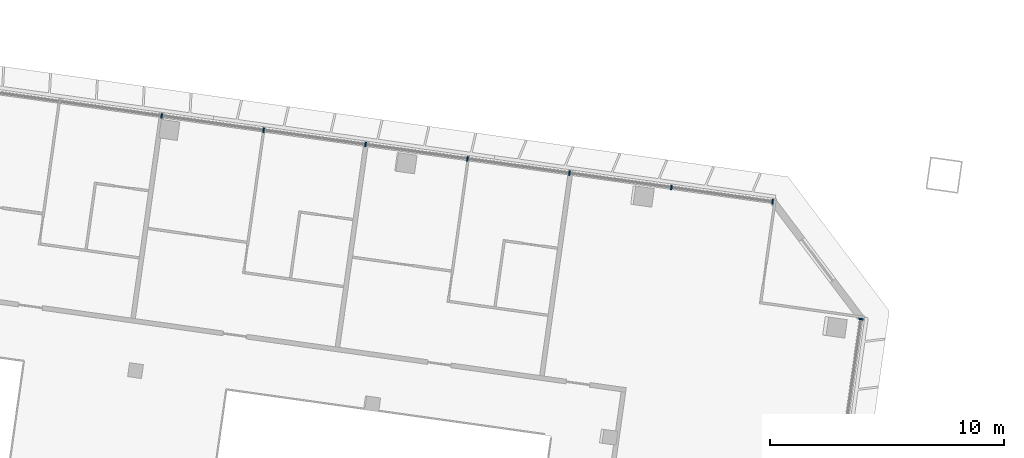
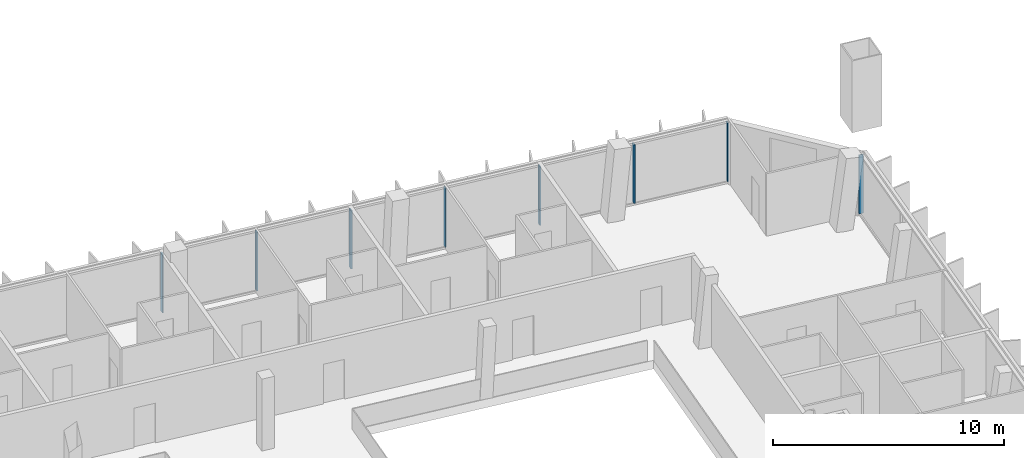
# One storey, part 8 of 29: 8 members, 2 elements without a shape of their own.
"""IFC4 building model written with IfcOpenShell, lengths in metres."""

from ifc_helpers import new_model, si_unit, direction, frame, origin, origin_2d, place, context, subcontext, project, spatial, rectangle, extrude, material, material_profile, profile_set, type_object, element, aggregate, save


model = new_model("IFC4")

# Units and contexts
model_context = context("Model", 3, precision=1e-05, world=origin(), true_north=direction((0.0, 1.0)))
body_context = subcontext(model_context, "Body", "Model", "MODEL_VIEW")
ifc_project = project(units=[si_unit("LENGTHUNIT", "METRE"), si_unit("AREAUNIT", "SQUARE_METRE"), si_unit("VOLUMEUNIT", "CUBIC_METRE"), si_unit("PLANEANGLEUNIT", "RADIAN"), si_unit("MASSUNIT", "GRAM", prefix="KILO")], contexts=[model_context])

# Site, building, storey
site_placement = place(None, origin())
site = spatial("IfcSite", under=ifc_project, at=site_placement, CompositionType="ELEMENT")
building_placement = place(site_placement, origin())
building = spatial("IfcBuilding", under=site, at=building_placement, Name="Mirante Cascada Hotel Towers", CompositionType="ELEMENT")
storey_placement = place(building_placement, frame((0.0, 0.0, 206.8)))
storey = spatial("IfcBuildingStorey", under=building, at=storey_placement, Name="L49", CompositionType="ELEMENT", Elevation=206.8)

# Curtain wall, members
ifc_material_1 = material(Name="Aluminium mullion and transom frame with clear laminated glass", Category="aluminium")
curtain_wall_type_1 = type_object("IfcCurtainWallType", Name="Ribbon curtain wall ECW1", PredefinedType="NOTDEFINED", material=ifc_material_1)
curtain_wall_1_placement = place(storey_placement, origin())
curtain_wall_1 = element("IfcCurtainWall", 1, at=curtain_wall_1_placement, inside=storey, type_object=curtain_wall_type_1, Name="Front ribbon wall T1 L49", PredefinedType="NOTDEFINED")
ifc_material_2 = material(Name="Anodised aluminium extrusion", Category="aluminium")
ifc_material_profile_1 = material_profile(ifc_material_2, rectangle(XDim=0.2, YDim=0.065, at=origin_2d()), Name="ECW1 MULLION 65x200")
ifc_profile_set_1 = profile_set([ifc_material_profile_1], Name="Anodised aluminium extrusion")
member_type_1 = type_object("IfcMemberType", Name="ECW1 mullion 65x200", PredefinedType="MULLION", material=ifc_profile_set_1)
member_1_placement = place(storey_placement, frame((-54.5193, 20.4812, 0.1), z_axis=(0.0, 0.0, 1.0), x_axis=(0.1391731, 0.9902681, 0.0)))
member_1 = element("IfcMember", 2, at=member_1_placement, type_object=member_type_1, Name="ECW1 mullion 6", PredefinedType="MULLION", context=body_context, shape_type="SweptSolid", body=[
    extrude(rectangle(XDim=0.2, YDim=0.065, at=origin_2d()), origin(), (0.0, 0.0, 1.0), 3.1),
])
member_2_placement = place(storey_placement, frame((-50.1566, 19.8681, 0.1), z_axis=(0.0, 0.0, 1.0), x_axis=(0.1391731, 0.9902681, 0.0)))
member_2 = element("IfcMember", 3, at=member_2_placement, type_object=member_type_1, Name="ECW1 mullion 7", PredefinedType="MULLION", context=body_context, shape_type="SweptSolid", body=[
    extrude(rectangle(XDim=0.2, YDim=0.065, at=origin_2d()), origin(), (0.0, 0.0, 1.0), 3.1),
])
member_3_placement = place(storey_placement, frame((-45.7938, 19.2549, 0.1), z_axis=(0.0, 0.0, 1.0), x_axis=(0.1391731, 0.9902681, 0.0)))
member_3 = element("IfcMember", 4, at=member_3_placement, type_object=member_type_1, Name="ECW1 mullion 8", PredefinedType="MULLION", context=body_context, shape_type="SweptSolid", body=[
    extrude(rectangle(XDim=0.2, YDim=0.065, at=origin_2d()), origin(), (0.0, 0.0, 1.0), 3.1),
])
member_4_placement = place(storey_placement, frame((-41.431, 18.6418, 0.1), z_axis=(0.0, 0.0, 1.0), x_axis=(0.1391731, 0.9902681, 0.0)))
member_4 = element("IfcMember", 5, at=member_4_placement, type_object=member_type_1, Name="ECW1 mullion 9", PredefinedType="MULLION", context=body_context, shape_type="SweptSolid", body=[
    extrude(rectangle(XDim=0.2, YDim=0.065, at=origin_2d()), origin(), (0.0, 0.0, 1.0), 3.1),
])
member_5_placement = place(storey_placement, frame((-37.0682, 18.0286, 0.1), z_axis=(0.0, 0.0, 1.0), x_axis=(0.1391731, 0.9902681, 0.0)))
member_5 = element("IfcMember", 6, at=member_5_placement, type_object=member_type_1, Name="ECW1 mullion 10", PredefinedType="MULLION", context=body_context, shape_type="SweptSolid", body=[
    extrude(rectangle(XDim=0.2, YDim=0.065, at=origin_2d()), origin(), (0.0, 0.0, 1.0), 3.1),
])
member_6_placement = place(storey_placement, frame((-32.7054, 17.4155, 0.1), z_axis=(0.0, 0.0, 1.0), x_axis=(0.1391731, 0.9902681, 0.0)))
member_6 = element("IfcMember", 7, at=member_6_placement, type_object=member_type_1, Name="ECW1 mullion 11", PredefinedType="MULLION", context=body_context, shape_type="SweptSolid", body=[
    extrude(rectangle(XDim=0.2, YDim=0.065, at=origin_2d()), origin(), (0.0, 0.0, 1.0), 3.1),
])
member_7_placement = place(storey_placement, frame((-28.3748, 16.8068, 0.1), z_axis=(0.0, 0.0, 1.0), x_axis=(0.1391731, 0.9902681, 0.0)))
member_7 = element("IfcMember", 8, at=member_7_placement, type_object=member_type_1, Name="ECW1 mullion 12", PredefinedType="MULLION", context=body_context, shape_type="SweptSolid", body=[
    extrude(rectangle(XDim=0.2, YDim=0.065, at=origin_2d()), origin(), (0.0, 0.0, 1.0), 3.1),
])
aggregate(curtain_wall_1, [member_1, member_2, member_3, member_4, member_5, member_6, member_7])

# Curtain wall, member
ifc_material_3 = material(Name="Aluminium mullion and transom frame with clear laminated glass", Category="aluminium")
curtain_wall_type_2 = type_object("IfcCurtainWallType", Name="End ribbon curtain wall ECW2", PredefinedType="NOTDEFINED", material=ifc_material_3)
curtain_wall_2_placement = place(storey_placement, origin())
curtain_wall_2 = element("IfcCurtainWall", 9, at=curtain_wall_2_placement, inside=storey, type_object=curtain_wall_type_2, Name="Inner end wall T1 L49", PredefinedType="NOTDEFINED")
ifc_material_4 = material(Name="Anodised aluminium extrusion", Category="aluminium")
ifc_material_profile_2 = material_profile(ifc_material_4, rectangle(XDim=0.2, YDim=0.065, at=origin_2d()), Name="ECW2 MULLION 65x200")
ifc_profile_set_2 = profile_set([ifc_material_profile_2], Name="Anodised aluminium extrusion")
member_type_2 = type_object("IfcMemberType", Name="ECW2 mullion 65x200", PredefinedType="MULLION", material=ifc_profile_set_2)
member_8_placement = place(storey_placement, frame((-24.5919, 11.7869, 0.1), z_axis=(0.0, 0.0, 1.0), x_axis=(0.9902681, -0.1391731, 0.0)))
member_8 = element("IfcMember", 10, at=member_8_placement, type_object=member_type_2, Name="ECW2 mullion 1", PredefinedType="MULLION", context=body_context, shape_type="SweptSolid", body=[
    extrude(rectangle(XDim=0.2, YDim=0.065, at=origin_2d()), origin(), (0.0, 0.0, 1.0), 3.1),
])
aggregate(curtain_wall_2, [member_8])

save(model, "model.ifc")
